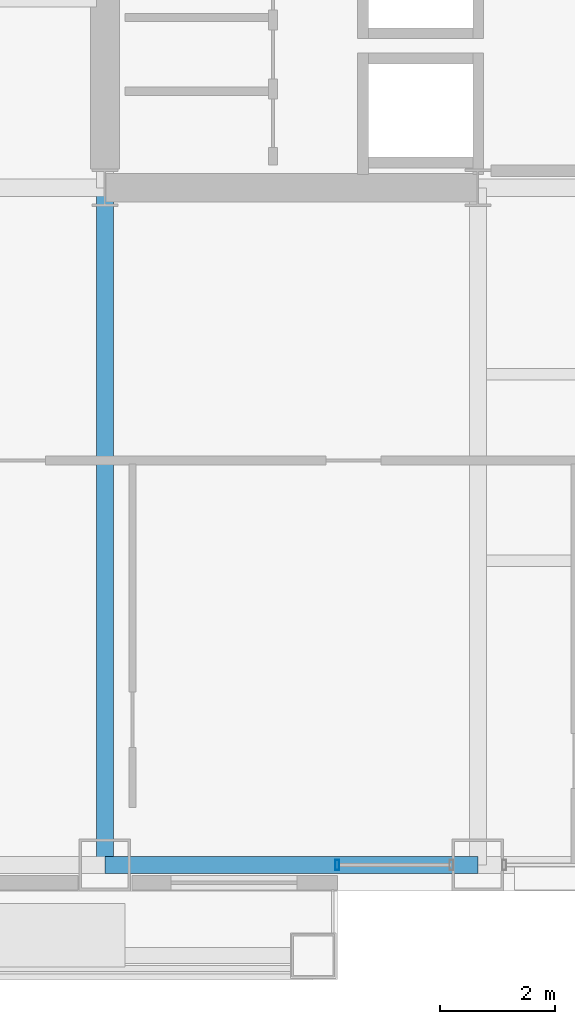
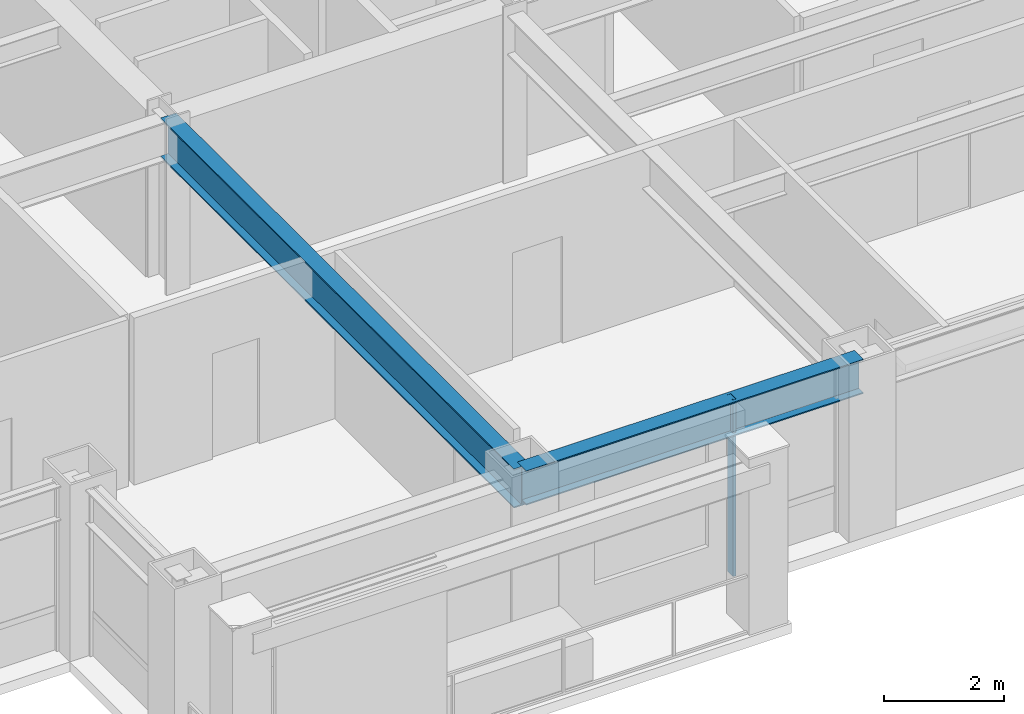
# One storey, part 3 of 30: 2 beams, 1 member, 1 element without a shape of its own.
"""IFC4 building model written with IfcOpenShell, lengths in metres."""

import ifcopenshell
import ifcopenshell.guid

model = None  # the IFC model being written
_history = None  # IfcOwnerHistory: only IFC2X3 demands one
_inside = {}  # id of a spatial element -> (the spatial element, [elements in it])
_under = {}  # id of a project, library or spatial element -> (it, [spatial elements below it])
_declared = {}  # id of a project -> (the project, [libraries it declares])
_typed = {}  # id of a type object -> (the type object, [elements of that type])
_made_of = {}  # id of a material, layer set ... -> (it, [elements and type objects made of it])


def new_model(schema):
    """Start an empty IFC model of exactly this schema.

    Asked for "IFC4X3", IfcOpenShell would pick the latest addendum, in which some entities
    have other attributes; the version numbers below select the first issue.
    IFC2X3 requires an IfcOwnerHistory on every rooted entity: one is made here for all.
    """
    global model, _history
    if schema == "IFC4X3":
        model = ifcopenshell.file(schema_version=(4, 3, 0, 0))
    else:
        model = ifcopenshell.file(schema=schema)
    _inside.clear()
    _under.clear()
    _declared.clear()
    _typed.clear()
    _made_of.clear()
    _history = None
    if model.schema == "IFC2X3":
        org = make("IfcOrganization", Name="unknown")
        user = make(
            "IfcPersonAndOrganization",
            ThePerson=make("IfcPerson", FamilyName="unknown"),
            TheOrganization=org,
        )
        app = make(
            "IfcApplication",
            ApplicationDeveloper=org,
            Version="unknown",
            ApplicationFullName="unknown",
            ApplicationIdentifier="unknown",
        )
        _history = make(
            "IfcOwnerHistory",
            OwningUser=user,
            OwningApplication=app,
            ChangeAction="ADDED",
            CreationDate=0,
        )
    return model


def make(cls, **values):
    """One entity of the class cls with the attributes given. An attribute that is None is left unset."""
    return model.create_entity(
        cls, **{name: value for name, value in values.items() if value is not None}
    )


def rooted(cls, **values):
    """An entity with a GlobalId (a new one), such as an element, a storey or a relation."""
    return make(cls, GlobalId=ifcopenshell.guid.new(), OwnerHistory=_history, **values)


def si_unit(unit_type, name, prefix=None):
    """IfcSIUnit, for example si_unit("LENGTHUNIT", "METRE", prefix="MILLI")."""
    return make("IfcSIUnit", UnitType=unit_type, Prefix=prefix, Name=name)


def assignment(units):
    """IfcUnitAssignment: the units of a project."""
    return None if units is None else make("IfcUnitAssignment", Units=units)


def point(xyz):
    """IfcCartesianPoint."""
    return None if xyz is None else make("IfcCartesianPoint", Coordinates=xyz)


def direction(xyz):
    """IfcDirection."""
    return None if xyz is None else make("IfcDirection", DirectionRatios=xyz)


def frame(location, z_axis=None, x_axis=None):
    """IfcAxis2Placement3D, a coordinate frame: its origin and axes. An axis left out is left unset."""
    return make(
        "IfcAxis2Placement3D",
        Location=point(location),
        Axis=direction(z_axis),
        RefDirection=direction(x_axis),
    )


def frame_2d(location, x_axis=None):
    """IfcAxis2Placement2D, a coordinate frame in the plane: its origin and x axis."""
    return make(
        "IfcAxis2Placement2D", Location=point(location), RefDirection=direction(x_axis)
    )


def origin():
    """The frame at (0, 0, 0) with its axes left unset."""
    return frame((0.0, 0.0, 0.0))


def origin_2d():
    """The frame at (0, 0) in the plane with its x axis left unset."""
    return frame_2d((0.0, 0.0))


def place(relative_to, where):
    """IfcLocalPlacement: puts the frame where relative to a parent placement (None: the world)."""
    return make(
        "IfcLocalPlacement", PlacementRelTo=relative_to, RelativePlacement=where
    )


def context(
    kind, dimensions, precision=None, world=None, true_north=None, identifier=None
):
    """IfcGeometricRepresentationContext, for example the 3D "Model" context."""
    return make(
        "IfcGeometricRepresentationContext",
        ContextIdentifier=identifier,
        ContextType=kind,
        CoordinateSpaceDimension=dimensions,
        Precision=precision,
        WorldCoordinateSystem=world,
        TrueNorth=true_north,
    )


def subcontext(parent, identifier, kind, view, scale=None):
    """IfcGeometricRepresentationSubContext, for example "Body" below "Model"."""
    return make(
        "IfcGeometricRepresentationSubContext",
        ContextIdentifier=identifier,
        ContextType=kind,
        ParentContext=parent,
        TargetScale=scale,
        TargetView=view,
    )


def project(units=None, contexts=None):
    """IfcProject with its units and contexts."""
    return rooted(
        "IfcProject",
        Name="project",
        RepresentationContexts=contexts,
        UnitsInContext=assignment(units),
    )


def spatial(cls, under=None, at=None, **own):
    """A site, building, storey or space (cls), placed at a placement, below another one or the project."""
    s = rooted(cls, ObjectPlacement=at, **own)
    if under is not None:
        _under.setdefault(under.id(), (under, []))[1].append(s)
    return s


def profile(cls, at=None, kind="AREA", **sizes):
    """A parametric profile (cls). Its sizes go by their IFC names, for example OverallWidth=200.0."""
    return make(cls, ProfileType=kind, Position=at, **sizes)


def hollow_rectangle(**sizes):
    """IfcRectangleHollowProfileDef."""
    return profile("IfcRectangleHollowProfileDef", **sizes)


def i_section(**sizes):
    """IfcIShapeProfileDef."""
    return profile("IfcIShapeProfileDef", **sizes)


def extrude(swept, where, along, depth):
    """IfcExtrudedAreaSolid: the profile swept, set in the frame where, extruded along a direction by depth."""
    return make(
        "IfcExtrudedAreaSolid",
        SweptArea=swept,
        Position=where,
        ExtrudedDirection=direction(along),
        Depth=depth,
    )


def shape(context_of_items, identifier, shape_type, items):
    """IfcShapeRepresentation: the items that make up one representation, for example the "Body"."""
    return make(
        "IfcShapeRepresentation",
        ContextOfItems=context_of_items,
        RepresentationIdentifier=identifier,
        RepresentationType=shape_type,
        Items=items,
    )


def material(Name=None, Category=None):
    """IfcMaterial."""
    return make("IfcMaterial", Name=Name, Category=Category)


def layer(
    of_material, thickness, ventilated=None, Name=None, Category=None, Priority=None
):
    """IfcMaterialLayer: one layer of a wall or slab, of a material (None: an air gap)."""
    return make(
        "IfcMaterialLayer",
        Material=of_material,
        LayerThickness=thickness,
        IsVentilated=ventilated,
        Name=Name,
        Category=Category,
        Priority=Priority,
    )


def layer_set(layers, Name=None):
    """IfcMaterialLayerSet."""
    return make("IfcMaterialLayerSet", MaterialLayers=layers, LayerSetName=Name)


def material_profile(
    of_material, cross_section, Name=None, Category=None, Priority=None
):
    """IfcMaterialProfile: a cross section and its material."""
    return make(
        "IfcMaterialProfile",
        Name=Name,
        Material=of_material,
        Profile=cross_section,
        Priority=Priority,
        Category=Category,
    )


def profile_set(profiles, Name=None, composite=None):
    """IfcMaterialProfileSet."""
    return make(
        "IfcMaterialProfileSet",
        Name=Name,
        MaterialProfiles=profiles,
        CompositeProfile=composite,
    )


def made_of(thing, what):
    """Note that an element or type object is made of a material, layer set ...; save() writes the relation."""
    if what is not None:
        _made_of.setdefault(what.id(), (what, []))[1].append(thing)
    return thing


def type_object(cls, material=None, **own):
    """A type object (cls), such as IfcWallType, which elements share."""
    return made_of(rooted(cls, **own), material)


def element(
    cls,
    number,
    at=None,
    inside=None,
    cuts=None,
    type_object=None,
    material=None,
    context=None,
    identifier="Body",
    shape_type=None,
    held_by="IfcProductDefinitionShape",
    body=None,
    shapes=None,
    **own,
):
    """One element of the class cls, such as IfcWall. Its Tag is "e" and its number.

    at: its placement. inside: the storey or other place that contains it. cuts: it is an
    opening in that element (IfcRelVoidsElement). A single representation is given by context,
    identifier, shape_type and body (its items); several are given by shapes. held_by: the class
    of the entity that holds the representations. save() writes the other relations.
    """
    e = rooted(cls, Tag="e%d" % number, ObjectPlacement=at, **own)
    if body is not None:
        shapes = [shape(context, identifier, shape_type, body)]
    if shapes is not None:
        e.Representation = make(held_by, Representations=shapes)
    if inside is not None:
        _inside.setdefault(inside.id(), (inside, []))[1].append(e)
    if cuts is not None:
        rooted(
            "IfcRelVoidsElement", RelatingBuildingElement=cuts, RelatedOpeningElement=e
        )
    if type_object is not None:
        _typed.setdefault(type_object.id(), (type_object, []))[1].append(e)
    return made_of(e, material)


def aggregate(whole, parts):
    """IfcRelAggregates: a whole, such as a stair, and the parts it consists of."""
    return rooted("IfcRelAggregates", RelatingObject=whole, RelatedObjects=parts)


def save(model, path):
    """Write the relations noted so far, then the file.

    IfcRelAggregates (storeys below a building ...), IfcRelContainedInSpatialStructure (elements
    in a storey), IfcRelDefinesByType, IfcRelAssociatesMaterial and IfcRelDeclares: one each for
    every whole, place, type object, material and project.
    """
    for whole, parts in _under.values():
        aggregate(whole, parts)
    for where, things in _inside.values():
        rooted(
            "IfcRelContainedInSpatialStructure",
            RelatedElements=things,
            RelatingStructure=where,
        )
    for kind, things in _typed.values():
        rooted("IfcRelDefinesByType", RelatedObjects=things, RelatingType=kind)
    for what, things in _made_of.values():
        rooted("IfcRelAssociatesMaterial", RelatedObjects=things, RelatingMaterial=what)
    for by, libraries in _declared.values():
        rooted("IfcRelDeclares", RelatingContext=by, RelatedDefinitions=libraries)
    model.write(path)


model = new_model("IFC4")

# Units and contexts
model_context = context("Model", 3, precision=1e-05, world=origin(), true_north=direction((0.0, 1.0)))
body_context = subcontext(model_context, "Body", "Model", "MODEL_VIEW")
ifc_project = project(units=[si_unit("LENGTHUNIT", "METRE"), si_unit("AREAUNIT", "SQUARE_METRE"), si_unit("VOLUMEUNIT", "CUBIC_METRE"), si_unit("PLANEANGLEUNIT", "RADIAN"), si_unit("MASSUNIT", "GRAM", prefix="KILO")], contexts=[model_context])

# Site, building, storey
site_placement = place(None, origin())
site = spatial("IfcSite", under=ifc_project, at=site_placement, CompositionType="ELEMENT")
building_placement = place(site_placement, origin())
building = spatial("IfcBuilding", under=site, at=building_placement, Name="Brelmoor Portico Tower", CompositionType="ELEMENT")
storey_placement = place(building_placement, frame((0.0, 0.0, 74.39990234375)))
storey = spatial("IfcBuildingStorey", under=building, at=storey_placement, Name="L19", CompositionType="ELEMENT", Elevation=74.39990234375)

# Beams
ifc_material_1 = material(Name="Steel Q355B", Category="steel")
ifc_material_profile_1 = material_profile(ifc_material_1, i_section(OverallWidth=0.300048828125, OverallDepth=0.800048828125, WebThickness=0.013916015625, FlangeThickness=0.02587890625, at=origin_2d()), Name="HN 800x300x14x26")
ifc_profile_set_1 = profile_set([ifc_material_profile_1], Name="Steel Q355B")
beam_type_1 = type_object("IfcBeamType", Name="BM-PG-800", PredefinedType="BEAM", material=ifc_profile_set_1)
beam_1_placement = place(storey_placement, frame((-14.550048828125, -21.550048828125, 3.0), z_axis=(0.0, 1.0, 0.0), x_axis=(-1.0, 0.0, 0.0)))
element("IfcBeam", 1, at=beam_1_placement, inside=storey, type_object=beam_type_1, Name="L19 Primary Floor Girder PG-03", PredefinedType="BEAM", context=body_context, shape_type="SweptSolid", body=[
    extrude(i_section(OverallWidth=0.300048828125, OverallDepth=0.800048828125, WebThickness=0.013916015625, FlangeThickness=0.02587890625, at=origin_2d()), origin(), (0.0, 0.0, 1.0), 11.800048828125),
])
ifc_material_profile_2 = material_profile(ifc_material_1, i_section(OverallWidth=0.300048828125, OverallDepth=0.699951171875, WebThickness=0.012939453125, FlangeThickness=0.02392578125, at=origin_2d()), Name="HN 700x300x13x24")
ifc_profile_set_2 = profile_set([ifc_material_profile_2], Name="Steel Q355B")
beam_type_2 = type_object("IfcBeamType", Name="BM-SP-700", PredefinedType="SPANDREL", material=ifc_profile_set_2)
beam_2_placement = place(storey_placement, frame((-14.550048828125, -21.550048828125, 3.050048828125), z_axis=(1.0, 0.0, 0.0), x_axis=(0.0, 1.0, 0.0)))
element("IfcBeam", 2, at=beam_2_placement, inside=storey, type_object=beam_type_2, Name="L19 Perimeter Spandrel Beam SP-02", PredefinedType="SPANDREL", context=body_context, shape_type="SweptSolid", body=[
    extrude(i_section(OverallWidth=0.300048828125, OverallDepth=0.699951171875, WebThickness=0.012939453125, FlangeThickness=0.02392578125, at=origin_2d()), origin(), (0.0, 0.0, 1.0), 6.5),
])

# Curtain wall, member
ifc_material_2 = material(Name="Anodised Aluminium Alloy 6063-T6", Category="aluminium")
ifc_layer = layer(ifc_material_2, 0.179931640625)
ifc_layer_set = layer_set([ifc_layer], Name="Anodised Aluminium Alloy 6063-T6")
curtain_wall_type = type_object("IfcCurtainWallType", Name="CW-TOWER-Z1", PredefinedType="NOTDEFINED", material=ifc_layer_set)
curtain_wall_placement = place(storey_placement, origin())
curtain_wall = element("IfcCurtainWall", 3, at=curtain_wall_placement, inside=storey, type_object=curtain_wall_type, Name="L19 Curtain Wall CW-L19-1R-1", PredefinedType="NOTDEFINED")
ifc_material_profile_3 = material_profile(ifc_material_2, hollow_rectangle(XDim=0.06494140625, YDim=0.179931640625, WallThickness=0.00390625, at=origin_2d()), Name="ALU MULLION 65x180")
ifc_profile_set_3 = profile_set([ifc_material_profile_3], Name="Anodised Aluminium Alloy 6063-T6")
member_type = type_object("IfcMemberType", Name="MB-CW-MULL-180", PredefinedType="MULLION", material=ifc_profile_set_3)
member_placement = place(storey_placement, frame((-10.5, -21.550048828125, -0.199951171875), z_axis=(0.0, 0.0, 1.0), x_axis=(1.0, 0.0, 0.0)))
member = element("IfcMember", 4, at=member_placement, type_object=member_type, Name="CW-L19-1R-1 Mullion 00", PredefinedType="MULLION", context=body_context, shape_type="SweptSolid", body=[
    extrude(hollow_rectangle(XDim=0.06494140625, YDim=0.179931640625, WallThickness=0.00390625, at=origin_2d()), origin(), (0.0, 0.0, 1.0), 3.60009765625),
])
aggregate(curtain_wall, [member])

save(model, "model.ifc")
